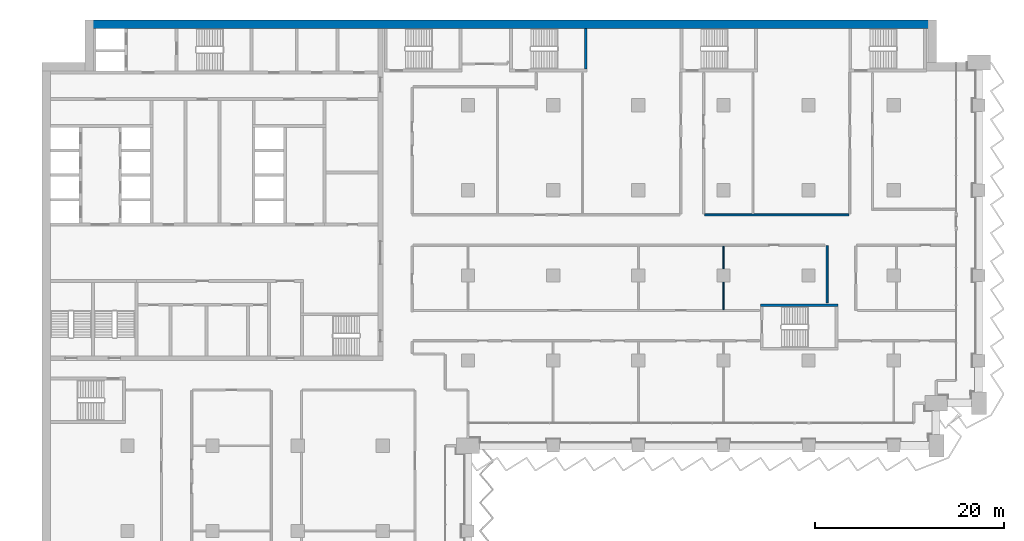
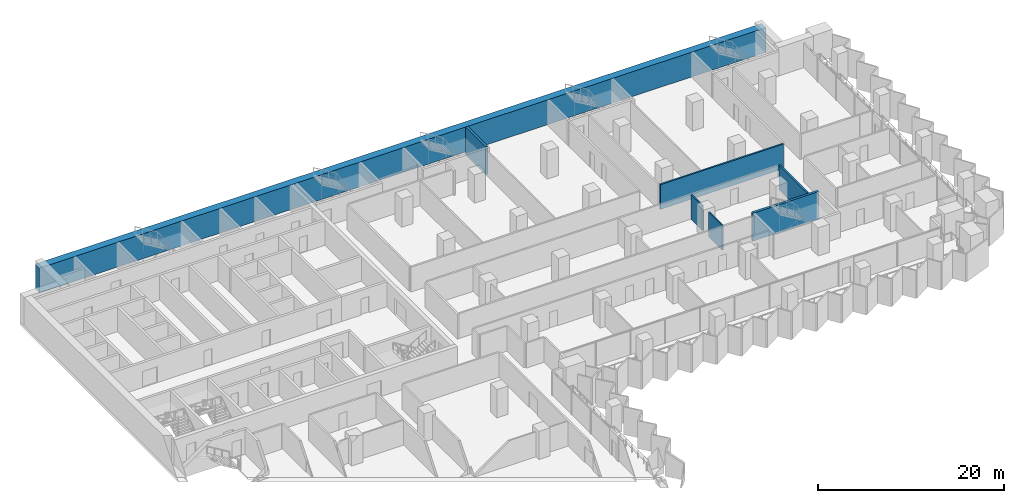
# One storey, part 17 of 28: 7 walls.
"""IFC4 building model written with IfcOpenShell, lengths in metres."""

import ifcopenshell
import ifcopenshell.guid

model = None  # the IFC model being written
_history = None  # IfcOwnerHistory: only IFC2X3 demands one
_inside = {}  # id of a spatial element -> (the spatial element, [elements in it])
_under = {}  # id of a project, library or spatial element -> (it, [spatial elements below it])
_declared = {}  # id of a project -> (the project, [libraries it declares])
_typed = {}  # id of a type object -> (the type object, [elements of that type])
_made_of = {}  # id of a material, layer set ... -> (it, [elements and type objects made of it])


def new_model(schema):
    """Start an empty IFC model of exactly this schema.

    Asked for "IFC4X3", IfcOpenShell would pick the latest addendum, in which some entities
    have other attributes; the version numbers below select the first issue.
    IFC2X3 requires an IfcOwnerHistory on every rooted entity: one is made here for all.
    """
    global model, _history
    if schema == "IFC4X3":
        model = ifcopenshell.file(schema_version=(4, 3, 0, 0))
    else:
        model = ifcopenshell.file(schema=schema)
    _inside.clear()
    _under.clear()
    _declared.clear()
    _typed.clear()
    _made_of.clear()
    _history = None
    if model.schema == "IFC2X3":
        org = make("IfcOrganization", Name="unknown")
        user = make(
            "IfcPersonAndOrganization",
            ThePerson=make("IfcPerson", FamilyName="unknown"),
            TheOrganization=org,
        )
        app = make(
            "IfcApplication",
            ApplicationDeveloper=org,
            Version="unknown",
            ApplicationFullName="unknown",
            ApplicationIdentifier="unknown",
        )
        _history = make(
            "IfcOwnerHistory",
            OwningUser=user,
            OwningApplication=app,
            ChangeAction="ADDED",
            CreationDate=0,
        )
    return model


def make(cls, **values):
    """One entity of the class cls with the attributes given. An attribute that is None is left unset."""
    return model.create_entity(
        cls, **{name: value for name, value in values.items() if value is not None}
    )


def rooted(cls, **values):
    """An entity with a GlobalId (a new one), such as an element, a storey or a relation."""
    return make(cls, GlobalId=ifcopenshell.guid.new(), OwnerHistory=_history, **values)


def si_unit(unit_type, name, prefix=None):
    """IfcSIUnit, for example si_unit("LENGTHUNIT", "METRE", prefix="MILLI")."""
    return make("IfcSIUnit", UnitType=unit_type, Prefix=prefix, Name=name)


def assignment(units):
    """IfcUnitAssignment: the units of a project."""
    return None if units is None else make("IfcUnitAssignment", Units=units)


def point(xyz):
    """IfcCartesianPoint."""
    return None if xyz is None else make("IfcCartesianPoint", Coordinates=xyz)


def direction(xyz):
    """IfcDirection."""
    return None if xyz is None else make("IfcDirection", DirectionRatios=xyz)


def frame(location, z_axis=None, x_axis=None):
    """IfcAxis2Placement3D, a coordinate frame: its origin and axes. An axis left out is left unset."""
    return make(
        "IfcAxis2Placement3D",
        Location=point(location),
        Axis=direction(z_axis),
        RefDirection=direction(x_axis),
    )


def frame_2d(location, x_axis=None):
    """IfcAxis2Placement2D, a coordinate frame in the plane: its origin and x axis."""
    return make(
        "IfcAxis2Placement2D", Location=point(location), RefDirection=direction(x_axis)
    )


def origin():
    """The frame at (0, 0, 0) with its axes left unset."""
    return frame((0.0, 0.0, 0.0))


def place(relative_to, where):
    """IfcLocalPlacement: puts the frame where relative to a parent placement (None: the world)."""
    return make(
        "IfcLocalPlacement", PlacementRelTo=relative_to, RelativePlacement=where
    )


def context(
    kind, dimensions, precision=None, world=None, true_north=None, identifier=None
):
    """IfcGeometricRepresentationContext, for example the 3D "Model" context."""
    return make(
        "IfcGeometricRepresentationContext",
        ContextIdentifier=identifier,
        ContextType=kind,
        CoordinateSpaceDimension=dimensions,
        Precision=precision,
        WorldCoordinateSystem=world,
        TrueNorth=true_north,
    )


def subcontext(parent, identifier, kind, view, scale=None):
    """IfcGeometricRepresentationSubContext, for example "Body" below "Model"."""
    return make(
        "IfcGeometricRepresentationSubContext",
        ContextIdentifier=identifier,
        ContextType=kind,
        ParentContext=parent,
        TargetScale=scale,
        TargetView=view,
    )


def project(units=None, contexts=None):
    """IfcProject with its units and contexts."""
    return rooted(
        "IfcProject",
        Name="project",
        RepresentationContexts=contexts,
        UnitsInContext=assignment(units),
    )


def spatial(cls, under=None, at=None, **own):
    """A site, building, storey or space (cls), placed at a placement, below another one or the project."""
    s = rooted(cls, ObjectPlacement=at, **own)
    if under is not None:
        _under.setdefault(under.id(), (under, []))[1].append(s)
    return s


def profile(cls, at=None, kind="AREA", **sizes):
    """A parametric profile (cls). Its sizes go by their IFC names, for example OverallWidth=200.0."""
    return make(cls, ProfileType=kind, Position=at, **sizes)


def rectangle(**sizes):
    """IfcRectangleProfileDef."""
    return profile("IfcRectangleProfileDef", **sizes)


def extrude(swept, where, along, depth):
    """IfcExtrudedAreaSolid: the profile swept, set in the frame where, extruded along a direction by depth."""
    return make(
        "IfcExtrudedAreaSolid",
        SweptArea=swept,
        Position=where,
        ExtrudedDirection=direction(along),
        Depth=depth,
    )


def shape(context_of_items, identifier, shape_type, items):
    """IfcShapeRepresentation: the items that make up one representation, for example the "Body"."""
    return make(
        "IfcShapeRepresentation",
        ContextOfItems=context_of_items,
        RepresentationIdentifier=identifier,
        RepresentationType=shape_type,
        Items=items,
    )


def material(Name=None, Category=None):
    """IfcMaterial."""
    return make("IfcMaterial", Name=Name, Category=Category)


def layer(
    of_material, thickness, ventilated=None, Name=None, Category=None, Priority=None
):
    """IfcMaterialLayer: one layer of a wall or slab, of a material (None: an air gap)."""
    return make(
        "IfcMaterialLayer",
        Material=of_material,
        LayerThickness=thickness,
        IsVentilated=ventilated,
        Name=Name,
        Category=Category,
        Priority=Priority,
    )


def layer_set(layers, Name=None):
    """IfcMaterialLayerSet."""
    return make("IfcMaterialLayerSet", MaterialLayers=layers, LayerSetName=Name)


def made_of(thing, what):
    """Note that an element or type object is made of a material, layer set ...; save() writes the relation."""
    if what is not None:
        _made_of.setdefault(what.id(), (what, []))[1].append(thing)
    return thing


def type_object(cls, material=None, **own):
    """A type object (cls), such as IfcWallType, which elements share."""
    return made_of(rooted(cls, **own), material)


def element(
    cls,
    number,
    at=None,
    inside=None,
    cuts=None,
    type_object=None,
    material=None,
    context=None,
    identifier="Body",
    shape_type=None,
    held_by="IfcProductDefinitionShape",
    body=None,
    shapes=None,
    **own,
):
    """One element of the class cls, such as IfcWall. Its Tag is "e" and its number.

    at: its placement. inside: the storey or other place that contains it. cuts: it is an
    opening in that element (IfcRelVoidsElement). A single representation is given by context,
    identifier, shape_type and body (its items); several are given by shapes. held_by: the class
    of the entity that holds the representations. save() writes the other relations.
    """
    e = rooted(cls, Tag="e%d" % number, ObjectPlacement=at, **own)
    if body is not None:
        shapes = [shape(context, identifier, shape_type, body)]
    if shapes is not None:
        e.Representation = make(held_by, Representations=shapes)
    if inside is not None:
        _inside.setdefault(inside.id(), (inside, []))[1].append(e)
    if cuts is not None:
        rooted(
            "IfcRelVoidsElement", RelatingBuildingElement=cuts, RelatedOpeningElement=e
        )
    if type_object is not None:
        _typed.setdefault(type_object.id(), (type_object, []))[1].append(e)
    return made_of(e, material)


def aggregate(whole, parts):
    """IfcRelAggregates: a whole, such as a stair, and the parts it consists of."""
    return rooted("IfcRelAggregates", RelatingObject=whole, RelatedObjects=parts)


def save(model, path):
    """Write the relations noted so far, then the file.

    IfcRelAggregates (storeys below a building ...), IfcRelContainedInSpatialStructure (elements
    in a storey), IfcRelDefinesByType, IfcRelAssociatesMaterial and IfcRelDeclares: one each for
    every whole, place, type object, material and project.
    """
    for whole, parts in _under.values():
        aggregate(whole, parts)
    for where, things in _inside.values():
        rooted(
            "IfcRelContainedInSpatialStructure",
            RelatedElements=things,
            RelatingStructure=where,
        )
    for kind, things in _typed.values():
        rooted("IfcRelDefinesByType", RelatedObjects=things, RelatingType=kind)
    for what, things in _made_of.values():
        rooted("IfcRelAssociatesMaterial", RelatedObjects=things, RelatingMaterial=what)
    for by, libraries in _declared.values():
        rooted("IfcRelDeclares", RelatingContext=by, RelatedDefinitions=libraries)
    model.write(path)


model = new_model("IFC4")

# Units and contexts
model_context = context("Model", 3, precision=1e-05, world=origin(), true_north=direction((0.0, 1.0)))
body_context = subcontext(model_context, "Body", "Model", "MODEL_VIEW")
ifc_project = project(units=[si_unit("LENGTHUNIT", "METRE"), si_unit("AREAUNIT", "SQUARE_METRE"), si_unit("VOLUMEUNIT", "CUBIC_METRE"), si_unit("PLANEANGLEUNIT", "RADIAN"), si_unit("MASSUNIT", "GRAM", prefix="KILO")], contexts=[model_context])

# Site, building, storey
site_placement = place(None, origin())
site = spatial("IfcSite", under=ifc_project, at=site_placement, CompositionType="ELEMENT")
building_placement = place(site_placement, origin())
building = spatial("IfcBuilding", under=site, at=building_placement, Name="Hunhe Ridgeline Campus", CompositionType="ELEMENT")
storey_placement = place(building_placement, frame((0.0, 0.0, 76.5)))
storey = spatial("IfcBuildingStorey", under=building, at=storey_placement, Name="L18", CompositionType="ELEMENT", Elevation=76.5)

# Walls
ifc_material_1 = material(Name="Gypsum board partition")
ifc_layer_1 = layer(ifc_material_1, 0.199951171875)
ifc_layer_set_1 = layer_set([ifc_layer_1], Name="Corridor partition 200 gypsum board on steel studs")
wall_type_1 = type_object("IfcWallType", Name="Corridor partition 200 gypsum board on steel studs", PredefinedType="PARTITIONING", material=ifc_layer_set_1)
wall_1_placement = place(storey_placement, frame((70.0, 78.39990234375, 0.0), z_axis=(0.0, 0.0, 1.0), x_axis=(1.0, 0.0, 0.0)))
element("IfcWall", 1, at=wall_1_placement, inside=storey, type_object=wall_type_1, Name="F-L18-wall-040", PredefinedType="PARTITIONING", context=body_context, shape_type="SweptSolid", body=[
    extrude(rectangle(XDim=15.25, YDim=0.199951171875, at=frame_2d((7.625, 0.0))), origin(), (0.0, 0.0, 1.0), 3.25),
])
wall_2_placement = place(storey_placement, frame((82.949951171875, 69.10400390625, 0.0), z_axis=(0.0, 0.0, 1.0), x_axis=(0.0, 1.0, 0.0)))
element("IfcWall", 2, at=wall_2_placement, inside=storey, type_object=wall_type_1, Name="F-L18-wall-085", PredefinedType="PARTITIONING", context=body_context, shape_type="SweptSolid", body=[
    extrude(rectangle(XDim=6.0458984375, YDim=0.199951171875, at=frame_2d((3.02294921875, 0.0))), origin(), (0.0, 0.0, 1.0), 3.25),
])
ifc_layer_2 = layer(ifc_material_1, 0.14990234375)
ifc_layer_set_2 = layer_set([ifc_layer_2], Name="Room partition 150 gypsum board on steel studs")
wall_type_2 = type_object("IfcWallType", Name="Room partition 150 gypsum board on steel studs", PredefinedType="PARTITIONING", material=ifc_layer_set_2)
wall_3_placement = place(storey_placement, frame((72.0, 71.300048828125, 0.0), z_axis=(0.0, 0.0, 1.0), x_axis=(0.0, -1.0, 0.0)))
element("IfcWall", 3, at=wall_3_placement, inside=storey, type_object=wall_type_2, Name="F-L18-wall-082", PredefinedType="PARTITIONING", context=body_context, shape_type="SweptSolid", body=[
    extrude(rectangle(XDim=2.900146484375, YDim=0.14990234375, at=frame_2d((1.4501953125, 0.0))), origin(), (0.0, 0.0, 1.0), 3.25),
])
wall_4_placement = place(storey_placement, frame((72.0, 75.10009765625, 0.0), z_axis=(0.0, 0.0, 1.0), x_axis=(0.0, -1.0, 0.0)))
element("IfcWall", 4, at=wall_4_placement, inside=storey, type_object=wall_type_2, Name="F-L18-wall-083", PredefinedType="PARTITIONING", context=body_context, shape_type="SweptSolid", body=[
    extrude(rectangle(XDim=2.400146484375, YDim=0.14990234375, at=frame_2d((1.2001953125, 0.0))), origin(), (0.0, 0.0, 1.0), 3.25),
])
ifc_material_2 = material(Name="Concrete C80", Category="concrete")
ifc_layer_3 = layer(ifc_material_2, 0.89990234375)
ifc_layer_set_3 = layer_set([ifc_layer_3], Name="Spine wall 900 Concrete C80")
wall_type_3 = type_object("IfcWallType", Name="Spine wall 900 Concrete C80", PredefinedType="SHEAR", material=ifc_layer_set_3)
wall_5_placement = place(storey_placement, frame((94.5, 98.550048828125, 0.0), z_axis=(0.0, 0.0, 1.0), x_axis=(-1.0, 0.0, 0.0)))
element("IfcWall", 5, at=wall_5_placement, inside=storey, type_object=wall_type_3, Name="Spine wall SW1-4 L18", PredefinedType="SHEAR", context=body_context, shape_type="SweptSolid", body=[
    extrude(rectangle(XDim=90.0, YDim=0.89990234375, at=frame_2d((45.0, 0.0))), origin(), (0.0, 0.0, 1.0), 3.25),
])
ifc_layer_4 = layer(ifc_material_2, 0.300048828125)
ifc_layer_set_4 = layer_set([ifc_layer_4], Name="Stair wall 300 reinforced concrete C80")
wall_type_4 = type_object("IfcWallType", Name="Stair wall 300 reinforced concrete C80", PredefinedType="SOLIDWALL", material=ifc_layer_set_4)
wall_6_placement = place(storey_placement, frame((75.89990234375, 68.85009765625, -0.39990234375), z_axis=(0.0, 0.0, 1.0), x_axis=(1.0, 0.0, 0.0)))
element("IfcWall", 6, at=wall_6_placement, inside=storey, type_object=wall_type_4, Name="L18 core wall 10", PredefinedType="SOLIDWALL", context=body_context, shape_type="SweptSolid", body=[
    extrude(rectangle(XDim=8.2001953125, YDim=0.300048828125, at=frame_2d((4.10009765625, 0.0))), origin(), (0.0, 0.0, 1.0), 3.64990234375),
])
wall_7_placement = place(storey_placement, frame((57.449951171875, 93.800048828125, -0.39990234375), z_axis=(0.0, 0.0, 1.0), x_axis=(0.0, 1.0, 0.0)))
element("IfcWall", 7, at=wall_7_placement, inside=storey, type_object=wall_type_4, Name="L18 core wall 68", PredefinedType="SOLIDWALL", context=body_context, shape_type="SweptSolid", body=[
    extrude(rectangle(XDim=4.300048828125, YDim=0.300048828125, at=frame_2d((2.14990234375, 0.0))), origin(), (0.0, 0.0, 1.0), 3.64990234375),
])

save(model, "model.ifc")
